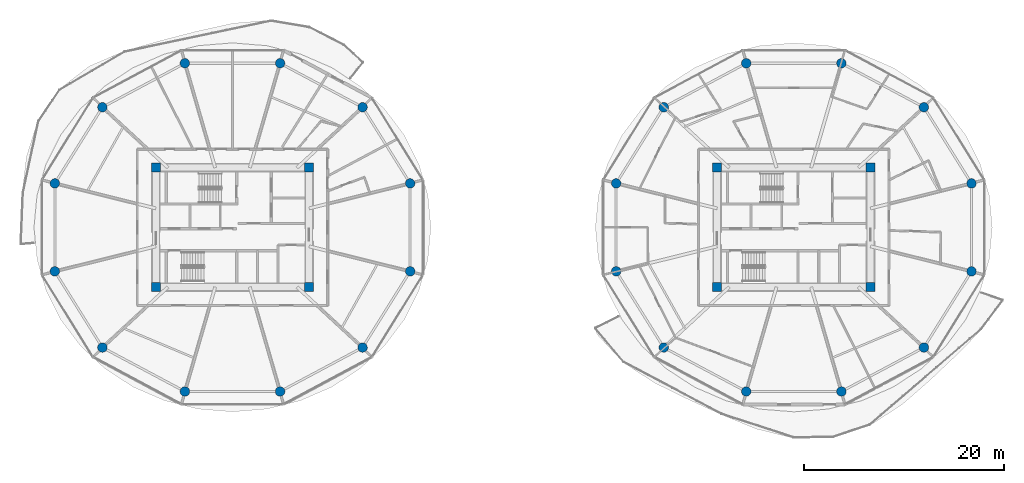
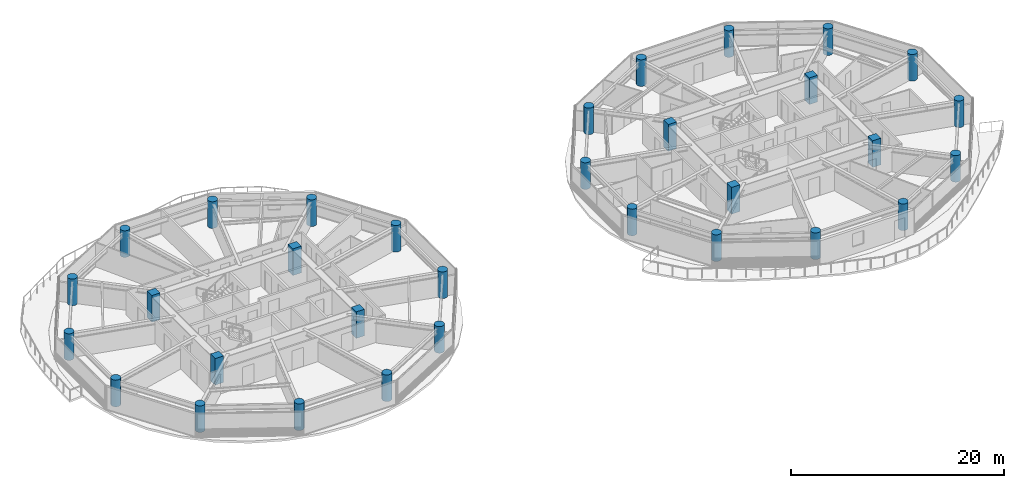
# One storey, part 1 of 25: 32 columns.
"""IFC4 building model written with IfcOpenShell, lengths in metres."""

import ifcopenshell
import ifcopenshell.guid

model = None  # the IFC model being written
_history = None  # IfcOwnerHistory: only IFC2X3 demands one
_inside = {}  # id of a spatial element -> (the spatial element, [elements in it])
_under = {}  # id of a project, library or spatial element -> (it, [spatial elements below it])
_declared = {}  # id of a project -> (the project, [libraries it declares])
_typed = {}  # id of a type object -> (the type object, [elements of that type])
_made_of = {}  # id of a material, layer set ... -> (it, [elements and type objects made of it])


def new_model(schema):
    """Start an empty IFC model of exactly this schema.

    Asked for "IFC4X3", IfcOpenShell would pick the latest addendum, in which some entities
    have other attributes; the version numbers below select the first issue.
    IFC2X3 requires an IfcOwnerHistory on every rooted entity: one is made here for all.
    """
    global model, _history
    if schema == "IFC4X3":
        model = ifcopenshell.file(schema_version=(4, 3, 0, 0))
    else:
        model = ifcopenshell.file(schema=schema)
    _inside.clear()
    _under.clear()
    _declared.clear()
    _typed.clear()
    _made_of.clear()
    _history = None
    if model.schema == "IFC2X3":
        org = make("IfcOrganization", Name="unknown")
        user = make(
            "IfcPersonAndOrganization",
            ThePerson=make("IfcPerson", FamilyName="unknown"),
            TheOrganization=org,
        )
        app = make(
            "IfcApplication",
            ApplicationDeveloper=org,
            Version="unknown",
            ApplicationFullName="unknown",
            ApplicationIdentifier="unknown",
        )
        _history = make(
            "IfcOwnerHistory",
            OwningUser=user,
            OwningApplication=app,
            ChangeAction="ADDED",
            CreationDate=0,
        )
    return model


def make(cls, **values):
    """One entity of the class cls with the attributes given. An attribute that is None is left unset."""
    return model.create_entity(
        cls, **{name: value for name, value in values.items() if value is not None}
    )


def rooted(cls, **values):
    """An entity with a GlobalId (a new one), such as an element, a storey or a relation."""
    return make(cls, GlobalId=ifcopenshell.guid.new(), OwnerHistory=_history, **values)


def si_unit(unit_type, name, prefix=None):
    """IfcSIUnit, for example si_unit("LENGTHUNIT", "METRE", prefix="MILLI")."""
    return make("IfcSIUnit", UnitType=unit_type, Prefix=prefix, Name=name)


def assignment(units):
    """IfcUnitAssignment: the units of a project."""
    return None if units is None else make("IfcUnitAssignment", Units=units)


def point(xyz):
    """IfcCartesianPoint."""
    return None if xyz is None else make("IfcCartesianPoint", Coordinates=xyz)


def direction(xyz):
    """IfcDirection."""
    return None if xyz is None else make("IfcDirection", DirectionRatios=xyz)


def frame(location, z_axis=None, x_axis=None):
    """IfcAxis2Placement3D, a coordinate frame: its origin and axes. An axis left out is left unset."""
    return make(
        "IfcAxis2Placement3D",
        Location=point(location),
        Axis=direction(z_axis),
        RefDirection=direction(x_axis),
    )


def frame_2d(location, x_axis=None):
    """IfcAxis2Placement2D, a coordinate frame in the plane: its origin and x axis."""
    return make(
        "IfcAxis2Placement2D", Location=point(location), RefDirection=direction(x_axis)
    )


def origin():
    """The frame at (0, 0, 0) with its axes left unset."""
    return frame((0.0, 0.0, 0.0))


def origin_2d():
    """The frame at (0, 0) in the plane with its x axis left unset."""
    return frame_2d((0.0, 0.0))


def place(relative_to, where):
    """IfcLocalPlacement: puts the frame where relative to a parent placement (None: the world)."""
    return make(
        "IfcLocalPlacement", PlacementRelTo=relative_to, RelativePlacement=where
    )


def context(
    kind, dimensions, precision=None, world=None, true_north=None, identifier=None
):
    """IfcGeometricRepresentationContext, for example the 3D "Model" context."""
    return make(
        "IfcGeometricRepresentationContext",
        ContextIdentifier=identifier,
        ContextType=kind,
        CoordinateSpaceDimension=dimensions,
        Precision=precision,
        WorldCoordinateSystem=world,
        TrueNorth=true_north,
    )


def subcontext(parent, identifier, kind, view, scale=None):
    """IfcGeometricRepresentationSubContext, for example "Body" below "Model"."""
    return make(
        "IfcGeometricRepresentationSubContext",
        ContextIdentifier=identifier,
        ContextType=kind,
        ParentContext=parent,
        TargetScale=scale,
        TargetView=view,
    )


def project(units=None, contexts=None):
    """IfcProject with its units and contexts."""
    return rooted(
        "IfcProject",
        Name="project",
        RepresentationContexts=contexts,
        UnitsInContext=assignment(units),
    )


def spatial(cls, under=None, at=None, **own):
    """A site, building, storey or space (cls), placed at a placement, below another one or the project."""
    s = rooted(cls, ObjectPlacement=at, **own)
    if under is not None:
        _under.setdefault(under.id(), (under, []))[1].append(s)
    return s


def profile(cls, at=None, kind="AREA", **sizes):
    """A parametric profile (cls). Its sizes go by their IFC names, for example OverallWidth=200.0."""
    return make(cls, ProfileType=kind, Position=at, **sizes)


def rectangle(**sizes):
    """IfcRectangleProfileDef."""
    return profile("IfcRectangleProfileDef", **sizes)


def circle(**sizes):
    """IfcCircleProfileDef."""
    return profile("IfcCircleProfileDef", **sizes)


def extrude(swept, where, along, depth):
    """IfcExtrudedAreaSolid: the profile swept, set in the frame where, extruded along a direction by depth."""
    return make(
        "IfcExtrudedAreaSolid",
        SweptArea=swept,
        Position=where,
        ExtrudedDirection=direction(along),
        Depth=depth,
    )


def shape(context_of_items, identifier, shape_type, items):
    """IfcShapeRepresentation: the items that make up one representation, for example the "Body"."""
    return make(
        "IfcShapeRepresentation",
        ContextOfItems=context_of_items,
        RepresentationIdentifier=identifier,
        RepresentationType=shape_type,
        Items=items,
    )


def source(mapping_origin, context_of_items, identifier, shape_type, items):
    """IfcRepresentationMap: a shape defined once, which mapped items show again and again."""
    return make(
        "IfcRepresentationMap",
        MappingOrigin=mapping_origin,
        MappedRepresentation=shape(context_of_items, identifier, shape_type, items),
    )


def transform(
    local_origin,
    x_axis=None,
    y_axis=None,
    z_axis=None,
    scale=None,
    scale2=None,
    scale3=None,
    uniform=True,
):
    """IfcCartesianTransformationOperator3D, or its non-uniform kind. x_axis, y_axis, z_axis: its Axis1, 2, 3."""
    if uniform:
        return make(
            "IfcCartesianTransformationOperator3D",
            Axis1=direction(x_axis),
            Axis2=direction(y_axis),
            LocalOrigin=point(local_origin),
            Scale=scale,
            Axis3=direction(z_axis),
        )
    return make(
        "IfcCartesianTransformationOperator3DnonUniform",
        Axis1=direction(x_axis),
        Axis2=direction(y_axis),
        LocalOrigin=point(local_origin),
        Scale=scale,
        Axis3=direction(z_axis),
        Scale2=scale2,
        Scale3=scale3,
    )


def mapped(mapping_source, mapping_target):
    """IfcMappedItem: shows the shape of a source again, moved by a transform."""
    return make(
        "IfcMappedItem", MappingSource=mapping_source, MappingTarget=mapping_target
    )


def material(Name=None, Category=None):
    """IfcMaterial."""
    return make("IfcMaterial", Name=Name, Category=Category)


def material_profile(
    of_material, cross_section, Name=None, Category=None, Priority=None
):
    """IfcMaterialProfile: a cross section and its material."""
    return make(
        "IfcMaterialProfile",
        Name=Name,
        Material=of_material,
        Profile=cross_section,
        Priority=Priority,
        Category=Category,
    )


def profile_set(profiles, Name=None, composite=None):
    """IfcMaterialProfileSet."""
    return make(
        "IfcMaterialProfileSet",
        Name=Name,
        MaterialProfiles=profiles,
        CompositeProfile=composite,
    )


def made_of(thing, what):
    """Note that an element or type object is made of a material, layer set ...; save() writes the relation."""
    if what is not None:
        _made_of.setdefault(what.id(), (what, []))[1].append(thing)
    return thing


def type_object(cls, material=None, **own):
    """A type object (cls), such as IfcWallType, which elements share."""
    return made_of(rooted(cls, **own), material)


def type_shapes(of_type, sources):
    """Give a type object the sources (RepresentationMaps) that its elements show as mapped items."""
    of_type.RepresentationMaps = sources


def element(
    cls,
    number,
    at=None,
    inside=None,
    cuts=None,
    type_object=None,
    material=None,
    context=None,
    identifier="Body",
    shape_type=None,
    held_by="IfcProductDefinitionShape",
    body=None,
    shapes=None,
    **own,
):
    """One element of the class cls, such as IfcWall. Its Tag is "e" and its number.

    at: its placement. inside: the storey or other place that contains it. cuts: it is an
    opening in that element (IfcRelVoidsElement). A single representation is given by context,
    identifier, shape_type and body (its items); several are given by shapes. held_by: the class
    of the entity that holds the representations. save() writes the other relations.
    """
    e = rooted(cls, Tag="e%d" % number, ObjectPlacement=at, **own)
    if body is not None:
        shapes = [shape(context, identifier, shape_type, body)]
    if shapes is not None:
        e.Representation = make(held_by, Representations=shapes)
    if inside is not None:
        _inside.setdefault(inside.id(), (inside, []))[1].append(e)
    if cuts is not None:
        rooted(
            "IfcRelVoidsElement", RelatingBuildingElement=cuts, RelatedOpeningElement=e
        )
    if type_object is not None:
        _typed.setdefault(type_object.id(), (type_object, []))[1].append(e)
    return made_of(e, material)


def aggregate(whole, parts):
    """IfcRelAggregates: a whole, such as a stair, and the parts it consists of."""
    return rooted("IfcRelAggregates", RelatingObject=whole, RelatedObjects=parts)


def save(model, path):
    """Write the relations noted so far, then the file.

    IfcRelAggregates (storeys below a building ...), IfcRelContainedInSpatialStructure (elements
    in a storey), IfcRelDefinesByType, IfcRelAssociatesMaterial and IfcRelDeclares: one each for
    every whole, place, type object, material and project.
    """
    for whole, parts in _under.values():
        aggregate(whole, parts)
    for where, things in _inside.values():
        rooted(
            "IfcRelContainedInSpatialStructure",
            RelatedElements=things,
            RelatingStructure=where,
        )
    for kind, things in _typed.values():
        rooted("IfcRelDefinesByType", RelatedObjects=things, RelatingType=kind)
    for what, things in _made_of.values():
        rooted("IfcRelAssociatesMaterial", RelatedObjects=things, RelatingMaterial=what)
    for by, libraries in _declared.values():
        rooted("IfcRelDeclares", RelatingContext=by, RelatedDefinitions=libraries)
    model.write(path)


model = new_model("IFC4")

# Units and contexts
model_context = context("Model", 3, precision=1e-05, world=origin(), true_north=direction((0.0, 1.0)))
body_context = subcontext(model_context, "Body", "Model", "MODEL_VIEW")
ifc_project = project(units=[si_unit("LENGTHUNIT", "METRE"), si_unit("AREAUNIT", "SQUARE_METRE"), si_unit("VOLUMEUNIT", "CUBIC_METRE"), si_unit("PLANEANGLEUNIT", "RADIAN"), si_unit("MASSUNIT", "GRAM", prefix="KILO")], contexts=[model_context])

# Site, building, storey
site_placement = place(None, origin())
site = spatial("IfcSite", under=ifc_project, at=site_placement, CompositionType="ELEMENT")
building_placement = place(site_placement, origin())
building = spatial("IfcBuilding", under=site, at=building_placement, Name="Norrkilde Senior Care Towers", CompositionType="ELEMENT")
storey_placement = place(building_placement, frame((0.0, 0.0, 27.699951171875)))
storey = spatial("IfcBuildingStorey", under=building, at=storey_placement, Name="L07", CompositionType="ELEMENT", Elevation=27.699951171875)

# Columns
ifc_material = material(Name="Concrete C60/75", Category="concrete")
ifc_material_profile_1 = material_profile(ifc_material, rectangle(XDim=0.89990234375, YDim=0.89990234375, at=origin_2d()), Name="RC COL 900x900")
ifc_profile_set_1 = profile_set([ifc_material_profile_1], Name="Concrete C60/75")
column_type_1 = type_object("IfcColumnType", Name="Column Core Corner Z1-Z2 900", PredefinedType="COLUMN", material=ifc_profile_set_1)
shared_shape_1 = source(origin(), body_context, "Body", "SweptSolid", [
    extrude(rectangle(XDim=0.89990234375, YDim=0.89990234375, at=origin_2d()), origin(), (0.0, 0.0, 1.0), 3.050048828125),
])
type_shapes(column_type_1, [shared_shape_1])
for number, where, z_axis, x_axis, name in (
    (1, (-35.64990234375, -5.949951171875, 0.0), (0.0, 0.0, 1.0), (1.0, 0.0, 0.0), "L07 Core W Corner Column 1"),
    (2, (-20.35009765625, -5.949951171875, 0.0), (0.0, 0.0, 1.0), (1.0, 0.0, 0.0), "L07 Core W Corner Column 2"),
    (3, (-20.35009765625, 5.949951171875, 0.0), (0.0, 0.0, 1.0), (1.0, 0.0, 0.0), "L07 Core W Corner Column 3"),
    (4, (-35.64990234375, 5.949951171875, 0.0), (0.0, 0.0, 1.0), (1.0, 0.0, 0.0), "L07 Core W Corner Column 4"),
    (5, (20.35009765625, -5.949951171875, 0.0), (0.0, 0.0, 1.0), (1.0, 0.0, 0.0), "L07 Core E Corner Column 1"),
    (6, (35.64990234375, -5.949951171875, 0.0), (0.0, 0.0, 1.0), (1.0, 0.0, 0.0), "L07 Core E Corner Column 2"),
    (7, (35.64990234375, 5.949951171875, 0.0), (0.0, 0.0, 1.0), (1.0, 0.0, 0.0), "L07 Core E Corner Column 3"),
    (8, (20.35009765625, 5.949951171875, 0.0), (0.0, 0.0, 1.0), (1.0, 0.0, 0.0), "L07 Core E Corner Column 4"),
):
    element("IfcColumn", number, at=place(storey_placement, frame(where, z_axis=z_axis, x_axis=x_axis)), inside=storey, type_object=column_type_1, Name=name, PredefinedType="COLUMN", context=body_context, shape_type="MappedRepresentation", body=[
        mapped(shared_shape_1, transform((0.0, 0.0, 0.0), x_axis=(1.0, 0.0, 0.0), y_axis=(0.0, 1.0, 0.0), z_axis=(0.0, 0.0, 1.0), scale=1.0)),
    ])
ifc_material_profile_2 = material_profile(ifc_material, circle(Radius=0.47509765625, at=origin_2d()), Name="RC CIR 950")
ifc_profile_set_2 = profile_set([ifc_material_profile_2], Name="Concrete C60/75")
column_type_2 = type_object("IfcColumnType", Name="Column Perimeter Z1 950", PredefinedType="COLUMN", material=ifc_profile_set_2)
shared_shape_2 = source(origin(), body_context, "Body", "SweptSolid", [
    extrude(circle(Radius=0.47509765625, at=origin_2d()), origin(), (0.0, 0.0, 1.0), 3.050048828125),
])
type_shapes(column_type_2, [shared_shape_2])
for number, where, z_axis, x_axis, name in (
    (9, (-10.275146484375, 4.386962890625, 0.0), (0.0, 0.0, 1.0), (1.0, 0.0, 0.0), "L07 Drum W Perimeter Column 01"),
    (10, (-15.024658203125, 11.9853515625, 0.0), (0.0, 0.0, 1.0), (1.0, 0.0, 0.0), "L07 Drum W Perimeter Column 02"),
    (11, (-23.250732421875, 16.37255859375, 0.0), (0.0, 0.0, 1.0), (1.0, 0.0, 0.0), "L07 Drum W Perimeter Column 03"),
    (12, (-32.749267578125, 16.37255859375, 0.0), (0.0, 0.0, 1.0), (1.0, 0.0, 0.0), "L07 Drum W Perimeter Column 04"),
    (13, (-40.975341796875, 11.9853515625, 0.0), (0.0, 0.0, 1.0), (1.0, 0.0, 0.0), "L07 Drum W Perimeter Column 05"),
    (14, (-45.724853515625, 4.386962890625, 0.0), (0.0, 0.0, 1.0), (1.0, 0.0, 0.0), "L07 Drum W Perimeter Column 06"),
    (15, (-45.724853515625, -4.386962890625, 0.0), (0.0, 0.0, 1.0), (1.0, 0.0, 0.0), "L07 Drum W Perimeter Column 07"),
    (16, (-40.975341796875, -11.9853515625, 0.0), (0.0, 0.0, 1.0), (1.0, 0.0, 0.0), "L07 Drum W Perimeter Column 08"),
    (17, (-32.749267578125, -16.37255859375, 0.0), (0.0, 0.0, 1.0), (1.0, 0.0, 0.0), "L07 Drum W Perimeter Column 09"),
    (18, (-23.250732421875, -16.37255859375, 0.0), (0.0, 0.0, 1.0), (1.0, 0.0, 0.0), "L07 Drum W Perimeter Column 10"),
    (19, (-15.024658203125, -11.9853515625, 0.0), (0.0, 0.0, 1.0), (1.0, 0.0, 0.0), "L07 Drum W Perimeter Column 11"),
    (20, (-10.275146484375, -4.386962890625, 0.0), (0.0, 0.0, 1.0), (1.0, 0.0, 0.0), "L07 Drum W Perimeter Column 12"),
    (21, (45.724853515625, 4.386962890625, 0.0), (0.0, 0.0, 1.0), (1.0, 0.0, 0.0), "L07 Drum E Perimeter Column 01"),
    (22, (40.975341796875, 11.9853515625, 0.0), (0.0, 0.0, 1.0), (1.0, 0.0, 0.0), "L07 Drum E Perimeter Column 02"),
    (23, (32.749267578125, 16.37255859375, 0.0), (0.0, 0.0, 1.0), (1.0, 0.0, 0.0), "L07 Drum E Perimeter Column 03"),
    (24, (23.250732421875, 16.37255859375, 0.0), (0.0, 0.0, 1.0), (1.0, 0.0, 0.0), "L07 Drum E Perimeter Column 04"),
    (25, (15.024658203125, 11.9853515625, 0.0), (0.0, 0.0, 1.0), (1.0, 0.0, 0.0), "L07 Drum E Perimeter Column 05"),
    (26, (10.275146484375, 4.386962890625, 0.0), (0.0, 0.0, 1.0), (1.0, 0.0, 0.0), "L07 Drum E Perimeter Column 06"),
    (27, (10.275146484375, -4.386962890625, 0.0), (0.0, 0.0, 1.0), (1.0, 0.0, 0.0), "L07 Drum E Perimeter Column 07"),
    (28, (15.024658203125, -11.9853515625, 0.0), (0.0, 0.0, 1.0), (1.0, 0.0, 0.0), "L07 Drum E Perimeter Column 08"),
    (29, (23.250732421875, -16.37255859375, 0.0), (0.0, 0.0, 1.0), (1.0, 0.0, 0.0), "L07 Drum E Perimeter Column 09"),
    (30, (32.749267578125, -16.37255859375, 0.0), (0.0, 0.0, 1.0), (1.0, 0.0, 0.0), "L07 Drum E Perimeter Column 10"),
    (31, (40.975341796875, -11.9853515625, 0.0), (0.0, 0.0, 1.0), (1.0, 0.0, 0.0), "L07 Drum E Perimeter Column 11"),
    (32, (45.724853515625, -4.386962890625, 0.0), (0.0, 0.0, 1.0), (1.0, 0.0, 0.0), "L07 Drum E Perimeter Column 12"),
):
    element("IfcColumn", number, at=place(storey_placement, frame(where, z_axis=z_axis, x_axis=x_axis)), inside=storey, type_object=column_type_2, Name=name, PredefinedType="COLUMN", context=body_context, shape_type="MappedRepresentation", body=[
        mapped(shared_shape_2, transform((0.0, 0.0, 0.0), x_axis=(1.0, 0.0, 0.0), y_axis=(0.0, 1.0, 0.0), z_axis=(0.0, 0.0, 1.0), scale=1.0)),
    ])

save(model, "model.ifc")
